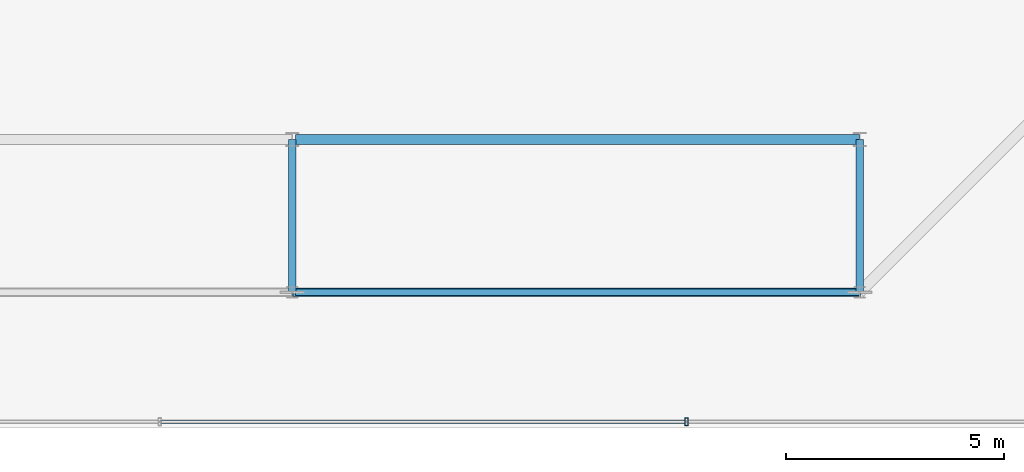
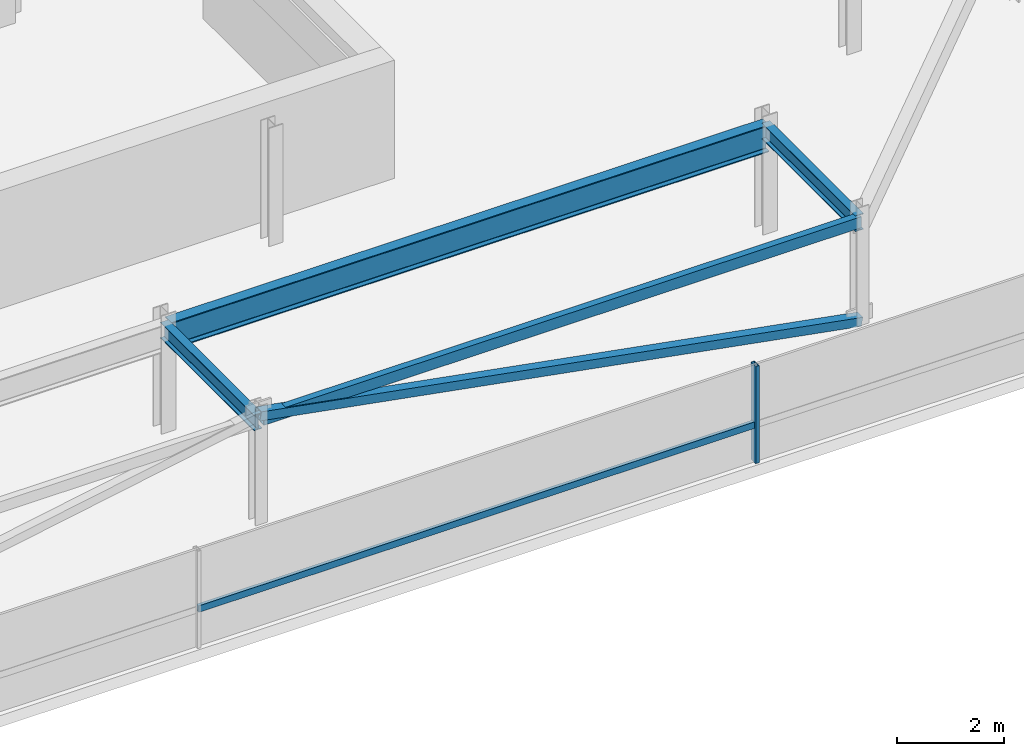
# One storey, part 12 of 44: 4 beams, 3 members, 1 element without a shape of its own.
"""IFC4 building model written with IfcOpenShell, lengths in metres."""

from ifc_helpers import new_model, si_unit, direction, frame, origin, origin_2d, place, context, subcontext, project, spatial, hollow_rectangle, i_section, extrude, material, material_profile, profile_set, type_object, element, aggregate, save


model = new_model("IFC4")

# Units and contexts
model_context = context("Model", 3, precision=1e-05, world=origin(), true_north=direction((0.0, 1.0)))
body_context = subcontext(model_context, "Body", "Model", "MODEL_VIEW")
ifc_project = project(units=[si_unit("LENGTHUNIT", "METRE"), si_unit("AREAUNIT", "SQUARE_METRE"), si_unit("VOLUMEUNIT", "CUBIC_METRE"), si_unit("PLANEANGLEUNIT", "RADIAN"), si_unit("MASSUNIT", "GRAM", prefix="KILO")], contexts=[model_context])

# Site, building, storey
site_placement = place(None, origin())
site = spatial("IfcSite", under=ifc_project, at=site_placement, CompositionType="ELEMENT")
building_placement = place(site_placement, origin())
building = spatial("IfcBuilding", under=site, at=building_placement, Name="Thornwick Lancets Civic Towers", CompositionType="ELEMENT")
storey_placement = place(building_placement, frame((0.0, 0.0, 292.199951171875)))
storey = spatial("IfcBuildingStorey", under=building, at=storey_placement, Name="C05", CompositionType="ELEMENT", Elevation=292.199951171875)

# Beams
ifc_material_1 = material(Name="Steel S355JR", Category="steel")
ifc_material_profile_1 = material_profile(ifc_material_1, hollow_rectangle(XDim=0.14990234375, YDim=0.25, WallThickness=0.012451171875, at=origin_2d()), Name="RHS 250x150x12.5")
ifc_profile_set_1 = profile_set([ifc_material_profile_1], Name="Steel S355JR")
beam_type_1 = type_object("IfcBeamType", Name="BM_CROWN_RHS250", PredefinedType="BEAM", material=ifc_profile_set_1)
beam_1_placement = place(storey_placement, frame((25.580078125, 6.199951171875, 2.31494140625), z_axis=(1.0, 0.0, 0.0), x_axis=(0.0, 1.0, 0.0)))
element("IfcBeam", 1, at=beam_1_placement, inside=storey, type_object=beam_type_1, Name="BM-EDGE-C05-A-S0-2", PredefinedType="BEAM", context=body_context, shape_type="SweptSolid", body=[
    extrude(hollow_rectangle(XDim=0.14990234375, YDim=0.25, WallThickness=0.012451171875, at=origin_2d()), origin(), (0.0, 0.0, 1.0), 12.919921875),
])
ifc_material_profile_2 = material_profile(ifc_material_1, i_section(OverallWidth=0.230224609375, OverallDepth=0.6171875, WebThickness=0.01318359375, FlangeThickness=0.022216796875, FilletRadius=0.0126953125, at=origin_2d()), Name="UKB 610x229x140")
ifc_profile_set_2 = profile_set([ifc_material_profile_2], Name="Steel S355JR")
beam_type_2 = type_object("IfcBeamType", Name="BM_GIRD_610_140", PredefinedType="BEAM", material=ifc_profile_set_2)
beam_2_placement = place(storey_placement, frame((25.580078125, 9.699951171875, 2.13134765625), z_axis=(1.0, 0.0, 0.0), x_axis=(0.0, 1.0, 0.0)))
element("IfcBeam", 2, at=beam_2_placement, inside=storey, type_object=beam_type_2, Name="BM-SPINE-C05-A-1-2", PredefinedType="BEAM", context=body_context, shape_type="SweptSolid", body=[
    extrude(i_section(OverallWidth=0.230224609375, OverallDepth=0.6171875, WebThickness=0.01318359375, FlangeThickness=0.022216796875, FilletRadius=0.0126953125, at=origin_2d()), origin(), (0.0, 0.0, 1.0), 12.919921875),
])
ifc_material_profile_3 = material_profile(ifc_material_1, i_section(OverallWidth=0.173095703125, OverallDepth=0.36328125, WebThickness=0.009033203125, FlangeThickness=0.015625, FilletRadius=0.01025390625, at=origin_2d()), Name="UKB 356x171x67")
ifc_profile_set_3 = profile_set([ifc_material_profile_3], Name="Steel S355JR")
beam_type_3 = type_object("IfcBeamType", Name="BM_JOIST_356_67", PredefinedType="JOIST", material=ifc_profile_set_3)
for number, where, z_axis, x_axis, name in (
    (3, (25.5, 9.699951171875, 2.25830078125), (0.0, -1.0, 0.0), (1.0, 0.0, 0.0), "BM-RAD-C05-A02"),
    (4, (38.5, 9.699951171875, 2.25830078125), (0.0, -1.0, 0.0), (1.0, 0.0, 0.0), "BM-RAD-C05-A03"),
):
    element("IfcBeam", number, at=place(storey_placement, frame(where, z_axis=z_axis, x_axis=x_axis)), inside=storey, type_object=beam_type_3, Name=name, PredefinedType="JOIST", context=body_context, shape_type="SweptSolid", body=[
        extrude(i_section(OverallWidth=0.173095703125, OverallDepth=0.36328125, WebThickness=0.009033203125, FlangeThickness=0.015625, FilletRadius=0.01025390625, at=origin_2d()), origin(), (0.0, 0.0, 1.0), 3.5),
    ])

# Curtain wall, members
ifc_material_2 = material(Name="Crown ring acoustic-louvre and glazing screen wall", Category="glass")
curtain_wall_type = type_object("IfcCurtainWallType", Name="CW_SYS_07", PredefinedType="NOTDEFINED", material=ifc_material_2)
curtain_wall_placement = place(storey_placement, origin())
curtain_wall = element("IfcCurtainWall", 5, at=curtain_wall_placement, inside=storey, type_object=curtain_wall_type, Name="C05 Curtain Wall CW-C05-A-E0", PredefinedType="NOTDEFINED")
ifc_material_3 = material(Name="Thermally broken bronze aluminium S355", Category="steel")
ifc_material_profile_4 = material_profile(ifc_material_3, hollow_rectangle(XDim=0.074951171875, YDim=0.179931640625, WallThickness=0.006103515625, at=origin_2d()), Name="RHS 180x75x6")
ifc_profile_set_4 = profile_set([ifc_material_profile_4], Name="Thermally broken bronze aluminium S355")
member_type_1 = type_object("IfcMemberType", Name="CW_MUL_180", PredefinedType="MULLION", material=ifc_profile_set_4)
member_1_placement = place(storey_placement, frame((34.53369140625, 3.2353515625, 0.0), z_axis=(0.0, 0.0, 1.0), x_axis=(1.0, 0.0, 0.0)))
member_1 = element("IfcMember", 6, at=member_1_placement, type_object=member_type_1, Name="CW-C05-A-E0 Mullion 2", PredefinedType="MULLION", context=body_context, shape_type="SweptSolid", body=[
    extrude(hollow_rectangle(XDim=0.074951171875, YDim=0.179931640625, WallThickness=0.006103515625, at=origin_2d()), origin(), (0.0, 0.0, 1.0), 2.219970703125),
])
ifc_material_profile_5 = material_profile(ifc_material_3, hollow_rectangle(XDim=0.074951171875, YDim=0.14990234375, WallThickness=0.0048828125, at=origin_2d()), Name="RHS 150x75x5")
ifc_profile_set_5 = profile_set([ifc_material_profile_5], Name="Thermally broken bronze aluminium S355")
member_type_2 = type_object("IfcMemberType", Name="CW_TRN_150", PredefinedType="USERDEFINED", material=ifc_profile_set_5)
member_2_placement = place(storey_placement, frame((22.486083984375, 3.2353515625, 0.85009765625), z_axis=(1.0, 0.0, 0.0), x_axis=(0.0, 1.0, 0.0)))
member_2 = element("IfcMember", 7, at=member_2_placement, type_object=member_type_2, Name="CW-C05-A-E0 Transom 1", ObjectType="TRANSOM", PredefinedType="USERDEFINED", context=body_context, shape_type="SweptSolid", body=[
    extrude(hollow_rectangle(XDim=0.074951171875, YDim=0.14990234375, WallThickness=0.0048828125, at=origin_2d()), origin(), (0.0, 0.0, 1.0), 12.02783203125),
])
aggregate(curtain_wall, [member_1, member_2])

# Member
ifc_material_profile_6 = material_profile(ifc_material_1, hollow_rectangle(XDim=0.199951171875, YDim=0.199951171875, WallThickness=0.012451171875, at=origin_2d()), Name="SHS 200x200x12.5")
ifc_profile_set_6 = profile_set([ifc_material_profile_6], Name="Steel S355JR")
member_type_3 = type_object("IfcMemberType", Name="MEM_CROWN_SHS200", PredefinedType="BRACE", material=ifc_profile_set_6)
member_3_placement = place(storey_placement, frame((38.5, 6.199951171875, 0.050048828125), z_axis=(-0.98351842104, 0.0, 0.180807951915), x_axis=(0.0, -1.0, 0.0)))
element("IfcMember", 8, at=member_3_placement, inside=storey, type_object=member_type_3, Name="C05 Crown Ring Lancet Rib A-S0-R", PredefinedType="BRACE", context=body_context, shape_type="SweptSolid", body=[
    extrude(hollow_rectangle(XDim=0.199951171875, YDim=0.199951171875, WallThickness=0.012451171875, at=origin_2d()), origin(), (0.0, 0.0, 1.0), 13.2177734375),
])

save(model, "model.ifc")
